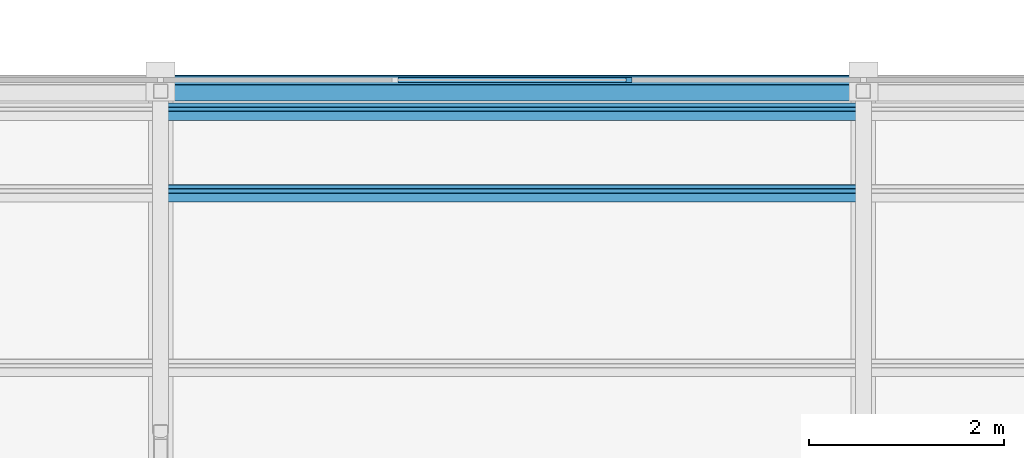
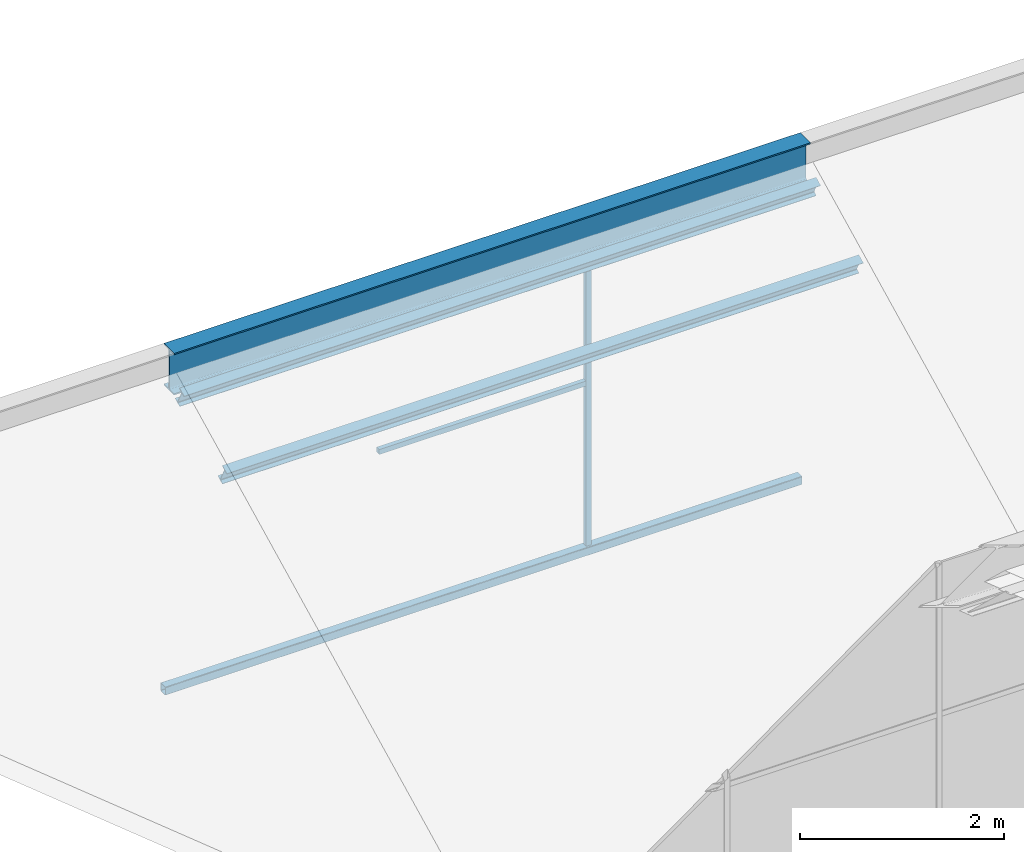
# One storey, part 42 of 83: 6 members, 1 element without a shape of its own.
"""IFC4 building model written with IfcOpenShell, lengths in metres."""

from ifc_helpers import new_model, si_unit, direction, frame, origin, origin_2d, place, context, subcontext, project, spatial, rectangle, hollow_rectangle, i_section, extrude, material, material_profile, profile_set, type_object, element, aggregate, save


model = new_model("IFC4")

# Units and contexts
model_context = context("Model", 3, precision=1e-05, world=origin(), true_north=direction((0.0, 1.0)))
body_context = subcontext(model_context, "Body", "Model", "MODEL_VIEW")
ifc_project = project(units=[si_unit("LENGTHUNIT", "METRE"), si_unit("AREAUNIT", "SQUARE_METRE"), si_unit("VOLUMEUNIT", "CUBIC_METRE"), si_unit("PLANEANGLEUNIT", "RADIAN"), si_unit("MASSUNIT", "GRAM", prefix="KILO")], contexts=[model_context])

# Site, building, storey
site_placement = place(None, origin())
site = spatial("IfcSite", under=ifc_project, at=site_placement, CompositionType="ELEMENT")
building_placement = place(site_placement, origin())
building = spatial("IfcBuilding", under=site, at=building_placement, Name="Silangan Lancet Faculty of Sciences", CompositionType="ELEMENT")
storey_placement = place(building_placement, frame((0.0, 0.0, 11.39990234375)))
storey = spatial("IfcBuildingStorey", under=building, at=storey_placement, Name="L02", CompositionType="ELEMENT", Elevation=11.39990234375)

# Members
ifc_material_1 = material(Name="Steel SS400", Category="steel")
ifc_material_profile_1 = material_profile(ifc_material_1, i_section(OverallWidth=0.199951171875, OverallDepth=0.5, WebThickness=0.010009765625, FlangeThickness=0.01611328125, FilletRadius=0.02001953125, at=origin_2d()), Name="H 500x200x10x16")
ifc_profile_set_1 = profile_set([ifc_material_profile_1], Name="Steel SS400")
member_type_1 = type_object("IfcMemberType", Name="Exposed ridge beam H 500x200x10x16", PredefinedType="MEMBER", material=ifc_profile_set_1)
member_1_placement = place(storey_placement, frame((57.60009765625, 57.3701171875, 3.942626953125), z_axis=(1.0, 0.0, 0.0), x_axis=(0.0, 1.0, 0.0)))
element("IfcMember", 1, at=member_1_placement, inside=storey, type_object=member_type_1, Name="Exposed ridge beam NAB-3-5", PredefinedType="MEMBER", context=body_context, shape_type="SweptSolid", body=[
    extrude(i_section(OverallWidth=0.199951171875, OverallDepth=0.5, WebThickness=0.010009765625, FlangeThickness=0.01611328125, FilletRadius=0.02001953125, at=origin_2d()), origin(), (0.0, 0.0, 1.0), 7.199951171875),
])
ifc_material_2 = material(Name="Steel STKR400", Category="steel")
ifc_material_profile_2 = material_profile(ifc_material_2, hollow_rectangle(XDim=0.10009765625, YDim=0.10009765625, WallThickness=0.006103515625, InnerFilletRadius=0.006103515625, OuterFilletRadius=0.011962890625, at=origin_2d()), Name="SHS 100x100x6.0")
ifc_profile_set_2 = profile_set([ifc_material_profile_2], Name="Steel STKR400")
member_type_2 = type_object("IfcMemberType", Name="Light sill SHS 100x100x6.0", PredefinedType="MEMBER", material=ifc_profile_set_2)
member_2_placement = place(storey_placement, frame((57.60009765625, 57.485107421875, 0.050048828125), z_axis=(1.0, 0.0, 0.0), x_axis=(0.0, 1.0, 0.0)))
element("IfcMember", 2, at=member_2_placement, inside=storey, type_object=member_type_2, Name="North light sill NAB-3-5", PredefinedType="MEMBER", context=body_context, shape_type="SweptSolid", body=[
    extrude(hollow_rectangle(XDim=0.10009765625, YDim=0.10009765625, WallThickness=0.006103515625, InnerFilletRadius=0.006103515625, OuterFilletRadius=0.011962890625, at=origin_2d()), origin(), (0.0, 0.0, 1.0), 7.199951171875),
])

# Curtain wall, members
ifc_material_3 = material(Name="Aluminium and laminated glass", Category="aluminium")
curtain_wall_type = type_object("IfcCurtainWallType", Name="North light glazing system", PredefinedType="NOTDEFINED", material=ifc_material_3)
curtain_wall_placement = place(storey_placement, origin())
curtain_wall = element("IfcCurtainWall", 3, at=curtain_wall_placement, inside=storey, type_object=curtain_wall_type, Name="North light glazing NAB-3-5", PredefinedType="NOTDEFINED")
ifc_material_4 = material(Name="Aluminium 6063-T6", Category="aluminium")
ifc_material_profile_3 = material_profile(ifc_material_4, rectangle(XDim=0.06005859375, YDim=0.050048828125, at=origin_2d()), Name="AL 60x50")
ifc_profile_set_3 = profile_set([ifc_material_profile_3], Name="Aluminium 6063-T6")
member_type_3 = type_object("IfcMemberType", Name="North light mullion 60x50", PredefinedType="MULLION", material=ifc_profile_set_3)
member_3_placement = place(storey_placement, frame((62.39990234375, 57.485107421875, 0.10009765625), z_axis=(0.0, 0.0, 1.0), x_axis=(1.0, 0.0, 0.0)))
member_3 = element("IfcMember", 4, at=member_3_placement, type_object=member_type_3, Name="North light mullion NAB-3-5 3", PredefinedType="MULLION", context=body_context, shape_type="SweptSolid", body=[
    extrude(rectangle(XDim=0.06005859375, YDim=0.050048828125, at=origin_2d()), origin(), (0.0, 0.0, 1.0), 3.89404296875),
])
ifc_material_5 = material(Name="Aluminium 6063-T6", Category="aluminium")
ifc_material_profile_4 = material_profile(ifc_material_5, rectangle(XDim=0.050048828125, YDim=0.06005859375, at=origin_2d()), Name="AL 50x60")
ifc_profile_set_4 = profile_set([ifc_material_profile_4], Name="Aluminium 6063-T6")
member_type_4 = type_object("IfcMemberType", Name="North light transom 50x60", PredefinedType="USERDEFINED", material=ifc_profile_set_4)
member_4_placement = place(storey_placement, frame((60.030029296875, 57.485107421875, 2.047119140625), z_axis=(1.0, 0.0, 0.0), x_axis=(0.0, 1.0, 0.0)))
member_4 = element("IfcMember", 5, at=member_4_placement, type_object=member_type_4, Name="North light transom NAB-3-5 2", ObjectType="TRANSOM", PredefinedType="USERDEFINED", context=body_context, shape_type="SweptSolid", body=[
    extrude(rectangle(XDim=0.050048828125, YDim=0.06005859375, at=origin_2d()), origin(), (0.0, 0.0, 1.0), 2.340087890625),
])
aggregate(curtain_wall, [member_3, member_4])

# Members
ifc_material_6 = material(Name="Steel SS400", Category="steel")
ifc_material_profile_5 = material_profile(ifc_material_6, i_section(OverallWidth=0.10009765625, OverallDepth=0.199951171875, WebThickness=0.005615234375, FlangeThickness=0.008056640625, FilletRadius=0.008056640625, at=origin_2d()), Name="H 200x100x5.5x8")
ifc_profile_set_5 = profile_set([ifc_material_profile_5], Name="Steel SS400")
member_type_5 = type_object("IfcMemberType", Name="Sheeting purlin H 200x100x5.5x8", PredefinedType="PURLIN", material=ifc_profile_set_5)
for number, where, z_axis, x_axis, name in (
    (6, (57.60009765625, 56.3251953125, 3.31494140625), (1.0, 0.0, 0.0), (0.0, 0.894427192382, 0.447213592736), "Sheeting purlin NAB-3-5 4"),
    (7, (57.60009765625, 57.162109375, 3.7333984375), (1.0, 0.0, 0.0), (0.0, 0.894427192382, 0.447213592736), "Sheeting purlin NAB-3-5 5"),
):
    element("IfcMember", number, at=place(storey_placement, frame(where, z_axis=z_axis, x_axis=x_axis)), inside=storey, type_object=member_type_5, Name=name, PredefinedType="PURLIN", context=body_context, shape_type="SweptSolid", body=[
        extrude(i_section(OverallWidth=0.10009765625, OverallDepth=0.199951171875, WebThickness=0.005615234375, FlangeThickness=0.008056640625, FilletRadius=0.008056640625, at=origin_2d()), origin(), (0.0, 0.0, 1.0), 7.199951171875),
    ])

save(model, "model.ifc")
